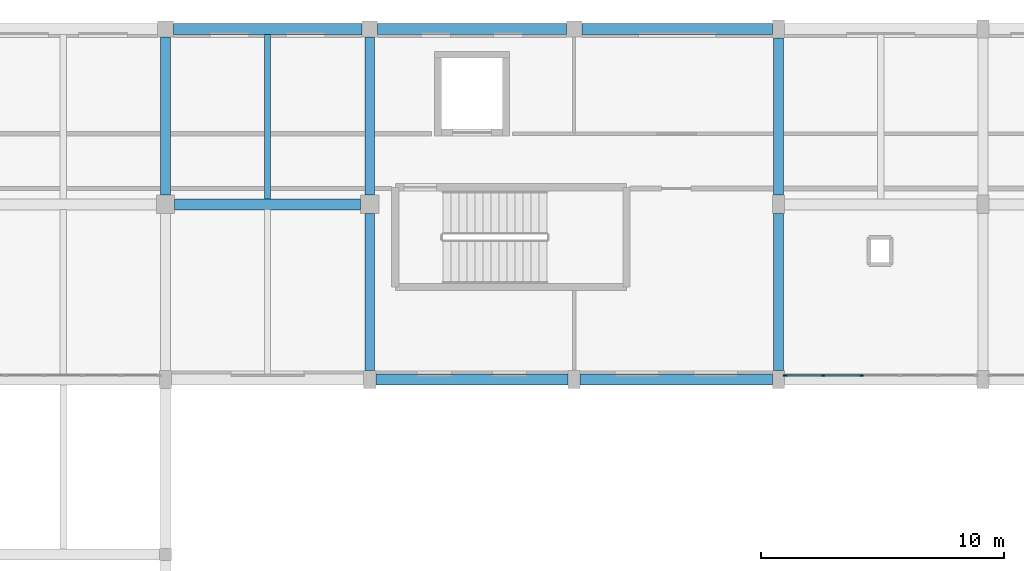
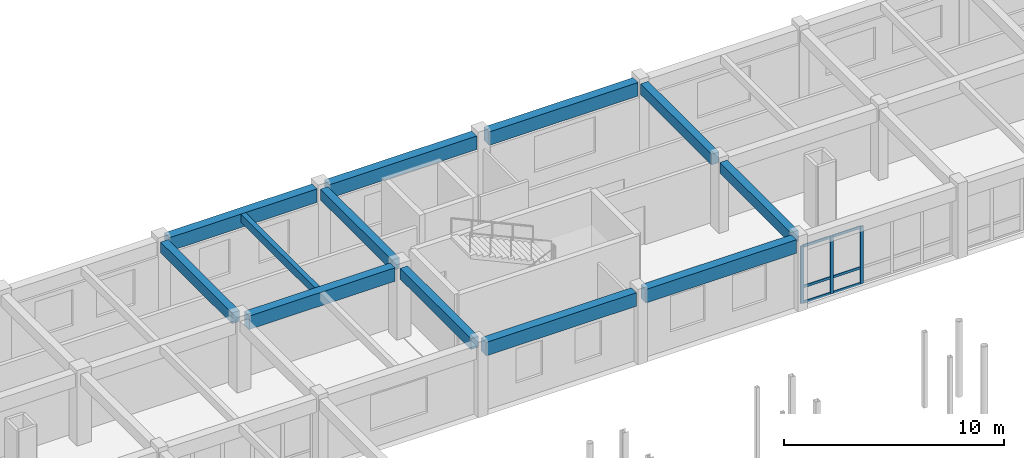
# One storey, part 51 of 90: 12 beams, 9 members, 1 element without a shape of its own.
"""IFC4 building model written with IfcOpenShell, lengths in metres."""

from ifc_helpers import new_model, si_unit, direction, frame, origin, origin_2d, place, context, subcontext, project, spatial, rectangle, extrude, material, material_profile, profile_set, type_object, element, aggregate, save


model = new_model("IFC4")

# Units and contexts
model_context = context("Model", 3, precision=1e-05, world=origin(), true_north=direction((0.0, 1.0)))
body_context = subcontext(model_context, "Body", "Model", "MODEL_VIEW")
ifc_project = project(units=[si_unit("LENGTHUNIT", "METRE"), si_unit("AREAUNIT", "SQUARE_METRE"), si_unit("VOLUMEUNIT", "CUBIC_METRE"), si_unit("PLANEANGLEUNIT", "RADIAN"), si_unit("MASSUNIT", "GRAM", prefix="KILO")], contexts=[model_context])

# Site, building, storey
site_placement = place(None, origin())
site = spatial("IfcSite", under=ifc_project, at=site_placement, CompositionType="ELEMENT")
building_placement = place(site_placement, origin())
building = spatial("IfcBuilding", under=site, at=building_placement, Name="Malvenik Polytechnic", CompositionType="ELEMENT")
storey_placement = place(building_placement, frame((0.0, 0.0, 9.300048828125)))
storey = spatial("IfcBuildingStorey", under=building, at=storey_placement, Name="L02", CompositionType="ELEMENT", Elevation=9.300048828125)

# Curtain wall, members
ifc_material_1 = material(Name="Anodised aluminium 6060-T6", Category="aluminium")
curtain_wall_type = type_object("IfcCurtainWallType", Name="ARC-CW-CW-03", PredefinedType="NOTDEFINED", material=ifc_material_1)
curtain_wall_placement = place(storey_placement, origin())
curtain_wall = element("IfcCurtainWall", 1, at=curtain_wall_placement, inside=storey, type_object=curtain_wall_type, Name="Unitised Curtain Wall CW-03 L02 #158", PredefinedType="NOTDEFINED")
ifc_material_2 = material(Name="Anodised aluminium", Category="aluminium")
ifc_material_profile_1 = material_profile(ifc_material_2, rectangle(XDim=0.06005859375, YDim=0.159912109375, at=origin_2d()), Name="ALU MULLION 60x160")
ifc_profile_set_1 = profile_set([ifc_material_profile_1], Name="Anodised aluminium")
member_type_1 = type_object("IfcMemberType", Name="ARC-CWM-160", PredefinedType="MULLION", material=ifc_profile_set_1)
member_1_placement = place(storey_placement, frame((112.609619140625, 115.3701171875, 0.0), z_axis=(0.0, 0.0, 1.0), x_axis=(0.0, -1.0, 0.0)))
member_1 = element("IfcMember", 2, at=member_1_placement, type_object=member_type_1, Name="CW-03 mullion 4", PredefinedType="MULLION", context=body_context, shape_type="SweptSolid", body=[
    extrude(rectangle(XDim=0.06005859375, YDim=0.159912109375, at=origin_2d()), origin(), (0.0, 0.0, 1.0), 3.179931640625),
])
member_2_placement = place(storey_placement, frame((111.02880859375, 115.3701171875, 0.0), z_axis=(0.0, 0.0, 1.0), x_axis=(0.0, -1.0, 0.0)))
member_2 = element("IfcMember", 3, at=member_2_placement, type_object=member_type_1, Name="CW-03 mullion 5", PredefinedType="MULLION", context=body_context, shape_type="SweptSolid", body=[
    extrude(rectangle(XDim=0.06005859375, YDim=0.159912109375, at=origin_2d()), origin(), (0.0, 0.0, 1.0), 3.179931640625),
])
member_3_placement = place(storey_placement, frame((109.47802734375, 115.3701171875, 0.0), z_axis=(0.0, 0.0, 1.0), x_axis=(0.0, -1.0, 0.0)))
member_3 = element("IfcMember", 4, at=member_3_placement, type_object=member_type_1, Name="CW-03 mullion 6", PredefinedType="MULLION", context=body_context, shape_type="SweptSolid", body=[
    extrude(rectangle(XDim=0.06005859375, YDim=0.159912109375, at=origin_2d()), origin(), (0.0, 0.0, 1.0), 3.179931640625),
])
ifc_material_profile_2 = material_profile(ifc_material_2, rectangle(XDim=0.06005859375, YDim=0.139892578125, at=origin_2d()), Name="ALU TRANSOM 60x140")
ifc_profile_set_2 = profile_set([ifc_material_profile_2], Name="Anodised aluminium")
member_type_2 = type_object("IfcMemberType", Name="ARC-CWT-140", PredefinedType="USERDEFINED", material=ifc_profile_set_2)
member_4_placement = place(storey_placement, frame((112.57958984375, 115.3701171875, 0.030029296875), z_axis=(-1.0, 0.0, 0.0), x_axis=(0.0, -1.0, 0.0)))
member_4 = element("IfcMember", 5, at=member_4_placement, type_object=member_type_2, Name="CW-03 transom 4.1", ObjectType="TRANSOM", PredefinedType="USERDEFINED", context=body_context, shape_type="SweptSolid", body=[
    extrude(rectangle(XDim=0.06005859375, YDim=0.139892578125, at=origin_2d()), origin(), (0.0, 0.0, 1.0), 1.520751953125),
])
member_5_placement = place(storey_placement, frame((112.57958984375, 115.3701171875, 0.89990234375), z_axis=(-1.0, 0.0, 0.0), x_axis=(0.0, -1.0, 0.0)))
member_5 = element("IfcMember", 6, at=member_5_placement, type_object=member_type_2, Name="CW-03 transom 4.2", ObjectType="TRANSOM", PredefinedType="USERDEFINED", context=body_context, shape_type="SweptSolid", body=[
    extrude(rectangle(XDim=0.06005859375, YDim=0.139892578125, at=origin_2d()), origin(), (0.0, 0.0, 1.0), 1.520751953125),
])
member_6_placement = place(storey_placement, frame((112.57958984375, 115.3701171875, 3.14990234375), z_axis=(-1.0, 0.0, 0.0), x_axis=(0.0, -1.0, 0.0)))
member_6 = element("IfcMember", 7, at=member_6_placement, type_object=member_type_2, Name="CW-03 transom 4.3", ObjectType="TRANSOM", PredefinedType="USERDEFINED", context=body_context, shape_type="SweptSolid", body=[
    extrude(rectangle(XDim=0.06005859375, YDim=0.139892578125, at=origin_2d()), origin(), (0.0, 0.0, 1.0), 1.520751953125),
])
member_7_placement = place(storey_placement, frame((110.998779296875, 115.3701171875, 0.030029296875), z_axis=(-1.0, 0.0, 0.0), x_axis=(0.0, -1.0, 0.0)))
member_7 = element("IfcMember", 8, at=member_7_placement, type_object=member_type_2, Name="CW-03 transom 5.1", ObjectType="TRANSOM", PredefinedType="USERDEFINED", context=body_context, shape_type="SweptSolid", body=[
    extrude(rectangle(XDim=0.06005859375, YDim=0.139892578125, at=origin_2d()), origin(), (0.0, 0.0, 1.0), 1.49072265625),
])
member_8_placement = place(storey_placement, frame((110.998779296875, 115.3701171875, 0.89990234375), z_axis=(-1.0, 0.0, 0.0), x_axis=(0.0, -1.0, 0.0)))
member_8 = element("IfcMember", 9, at=member_8_placement, type_object=member_type_2, Name="CW-03 transom 5.2", ObjectType="TRANSOM", PredefinedType="USERDEFINED", context=body_context, shape_type="SweptSolid", body=[
    extrude(rectangle(XDim=0.06005859375, YDim=0.139892578125, at=origin_2d()), origin(), (0.0, 0.0, 1.0), 1.49072265625),
])
member_9_placement = place(storey_placement, frame((110.998779296875, 115.3701171875, 3.14990234375), z_axis=(-1.0, 0.0, 0.0), x_axis=(0.0, -1.0, 0.0)))
member_9 = element("IfcMember", 10, at=member_9_placement, type_object=member_type_2, Name="CW-03 transom 5.3", ObjectType="TRANSOM", PredefinedType="USERDEFINED", context=body_context, shape_type="SweptSolid", body=[
    extrude(rectangle(XDim=0.06005859375, YDim=0.139892578125, at=origin_2d()), origin(), (0.0, 0.0, 1.0), 1.49072265625),
])
aggregate(curtain_wall, [member_1, member_2, member_3, member_4, member_5, member_6, member_7, member_8, member_9])

# Beams
ifc_material_3 = material(Name="Concrete C35/45", Category="concrete")
ifc_material_profile_3 = material_profile(ifc_material_3, rectangle(XDim=0.449951171875, YDim=0.75, at=origin_2d()), Name="RC BM 450x750")
ifc_profile_set_3 = profile_set([ifc_material_profile_3], Name="Concrete C35/45")
beam_type_1 = type_object("IfcBeamType", Name="STR-BM-B-03", PredefinedType="BEAM", material=ifc_profile_set_3)
beam_1_placement = place(storey_placement, frame((84.373046875, 122.39990234375, 3.56494140625), z_axis=(1.0, 0.0, 0.0), x_axis=(0.0, 1.0, 0.0)))
element("IfcBeam", 11, at=beam_1_placement, inside=storey, type_object=beam_type_1, Name="Primary Beam B-03 L02 #1443", PredefinedType="BEAM", context=body_context, shape_type="SweptSolid", body=[
    extrude(rectangle(XDim=0.449951171875, YDim=0.75, at=origin_2d()), origin(), (0.0, 0.0, 1.0), 7.654052734375),
])
ifc_material_profile_4 = material_profile(ifc_material_3, rectangle(XDim=0.39990234375, YDim=0.60009765625, at=origin_2d()), Name="RC BM 400x600")
ifc_profile_set_4 = profile_set([ifc_material_profile_4], Name="Concrete C35/45")
beam_type_2 = type_object("IfcBeamType", Name="STR-BM-B-06", PredefinedType="BEAM", material=ifc_profile_set_4)
beam_2_placement = place(storey_placement, frame((84.0, 122.77294921875, 3.639892578125), z_axis=(0.0, 1.0, 0.0), x_axis=(-1.0, 0.0, 0.0)))
element("IfcBeam", 12, at=beam_2_placement, inside=storey, type_object=beam_type_2, Name="Transverse Beam B-06 L02 #1526", PredefinedType="BEAM", context=body_context, shape_type="SweptSolid", body=[
    extrude(rectangle(XDim=0.39990234375, YDim=0.60009765625, at=origin_2d()), origin(), (0.0, 0.0, 1.0), 6.504150390625),
])
beam_3_placement = place(storey_placement, frame((92.39990234375, 115.572998046875, 3.639892578125), z_axis=(0.0, 1.0, 0.0), x_axis=(-1.0, 0.0, 0.0)))
element("IfcBeam", 13, at=beam_3_placement, inside=storey, type_object=beam_type_2, Name="Transverse Beam B-06 L02 #1533", PredefinedType="BEAM", context=body_context, shape_type="SweptSolid", body=[
    extrude(rectangle(XDim=0.39990234375, YDim=0.60009765625, at=origin_2d()), origin(), (0.0, 0.0, 1.0), 6.4541015625),
])
beam_4_placement = place(storey_placement, frame((92.39990234375, 122.77294921875, 3.639892578125), z_axis=(0.0, 1.0, 0.0), x_axis=(-1.0, 0.0, 0.0)))
element("IfcBeam", 14, at=beam_4_placement, inside=storey, type_object=beam_type_2, Name="Transverse Beam B-06 L02 #1534", PredefinedType="BEAM", context=body_context, shape_type="SweptSolid", body=[
    extrude(rectangle(XDim=0.39990234375, YDim=0.60009765625, at=origin_2d()), origin(), (0.0, 0.0, 1.0), 6.504150390625),
])
for number, where, z_axis, x_axis, name in (
    (15, (109.199951171875, 115.572998046875, 3.639892578125), (0.0, 1.0, 0.0), (-1.0, 0.0, 0.0), "Transverse Beam B-06 L02 #1541"),
    (16, (109.199951171875, 122.77294921875, 3.639892578125), (0.0, 1.0, 0.0), (-1.0, 0.0, 0.0), "Transverse Beam B-06 L02 #1542"),
):
    element("IfcBeam", number, at=place(storey_placement, frame(where, z_axis=z_axis, x_axis=x_axis)), inside=storey, type_object=beam_type_2, Name=name, PredefinedType="BEAM", context=body_context, shape_type="SweptSolid", body=[
        extrude(rectangle(XDim=0.39990234375, YDim=0.60009765625, at=origin_2d()), origin(), (0.0, 0.0, 1.0), 6.4541015625),
    ])
ifc_material_4 = material(Name="Concrete C30/37", Category="concrete")
ifc_material_profile_5 = material_profile(ifc_material_4, rectangle(XDim=0.25, YDim=0.449951171875, at=origin_2d()), Name="RC JST 250x450")
ifc_profile_set_5 = profile_set([ifc_material_profile_5], Name="Concrete C30/37")
beam_type_3 = type_object("IfcBeamType", Name="STR-BM-J-02", PredefinedType="JOIST", material=ifc_profile_set_5)
beam_5_placement = place(storey_placement, frame((88.199951171875, 122.623046875, 3.71484375), z_axis=(0.0, 1.0, 0.0), x_axis=(-1.0, 0.0, 0.0)))
element("IfcBeam", 17, at=beam_5_placement, inside=storey, type_object=beam_type_3, Name="Secondary Rib Joist J-02 L02 #1604", PredefinedType="JOIST", context=body_context, shape_type="SweptSolid", body=[
    extrude(rectangle(XDim=0.25, YDim=0.449951171875, at=origin_2d()), origin(), (0.0, 0.0, 1.0), 6.7490234375),
])
ifc_material_5 = material(Name="Precast concrete C40/50", Category="concrete")
ifc_material_profile_6 = material_profile(ifc_material_5, rectangle(XDim=0.4599609375, YDim=0.75, at=origin_2d()), Name="PC SPN 460x750")
ifc_profile_set_6 = profile_set([ifc_material_profile_6], Name="Precast concrete C40/50")
beam_type_4 = type_object("IfcBeamType", Name="STR-BM-SP-02", PredefinedType="SPANDREL", material=ifc_profile_set_6)
beam_6_placement = place(storey_placement, frame((92.64794921875, 115.199951171875, 3.56494140625), z_axis=(1.0, 0.0, 0.0), x_axis=(0.0, 1.0, 0.0)))
element("IfcBeam", 18, at=beam_6_placement, inside=storey, type_object=beam_type_4, Name="Primary Beam SP-02 L02 #1432", PredefinedType="SPANDREL", context=body_context, shape_type="SweptSolid", body=[
    extrude(rectangle(XDim=0.4599609375, YDim=0.75, at=origin_2d()), origin(), (0.0, 0.0, 1.0), 7.904052734375),
])
beam_7_placement = place(storey_placement, frame((101.048095703125, 115.199951171875, 3.56494140625), z_axis=(1.0, 0.0, 0.0), x_axis=(0.0, 1.0, 0.0)))
element("IfcBeam", 19, at=beam_7_placement, inside=storey, type_object=beam_type_4, Name="Primary Beam SP-02 L02 #1433", PredefinedType="SPANDREL", context=body_context, shape_type="SweptSolid", body=[
    extrude(rectangle(XDim=0.4599609375, YDim=0.75, at=origin_2d()), origin(), (0.0, 0.0, 1.0), 7.90380859375),
])
beam_8_placement = place(storey_placement, frame((84.322998046875, 129.60009765625, 3.56494140625), z_axis=(1.0, 0.0, 0.0), x_axis=(0.0, 1.0, 0.0)))
element("IfcBeam", 20, at=beam_8_placement, inside=storey, type_object=beam_type_4, Name="Primary Beam SP-02 L02 #1457", PredefinedType="SPANDREL", context=body_context, shape_type="SweptSolid", body=[
    extrude(rectangle(XDim=0.4599609375, YDim=0.75, at=origin_2d()), origin(), (0.0, 0.0, 1.0), 7.75390625),
])
beam_9_placement = place(storey_placement, frame((92.722900390625, 129.60009765625, 3.56494140625), z_axis=(1.0, 0.0, 0.0), x_axis=(0.0, 1.0, 0.0)))
element("IfcBeam", 21, at=beam_9_placement, inside=storey, type_object=beam_type_4, Name="Primary Beam SP-02 L02 #1458", PredefinedType="SPANDREL", context=body_context, shape_type="SweptSolid", body=[
    extrude(rectangle(XDim=0.4599609375, YDim=0.75, at=origin_2d()), origin(), (0.0, 0.0, 1.0), 7.754150390625),
])
beam_10_placement = place(storey_placement, frame((101.123046875, 129.60009765625, 3.56494140625), z_axis=(1.0, 0.0, 0.0), x_axis=(0.0, 1.0, 0.0)))
element("IfcBeam", 22, at=beam_10_placement, inside=storey, type_object=beam_type_4, Name="Primary Beam SP-02 L02 #1459", PredefinedType="SPANDREL", context=body_context, shape_type="SweptSolid", body=[
    extrude(rectangle(XDim=0.4599609375, YDim=0.75, at=origin_2d()), origin(), (0.0, 0.0, 1.0), 7.828857421875),
])

save(model, "model.ifc")
